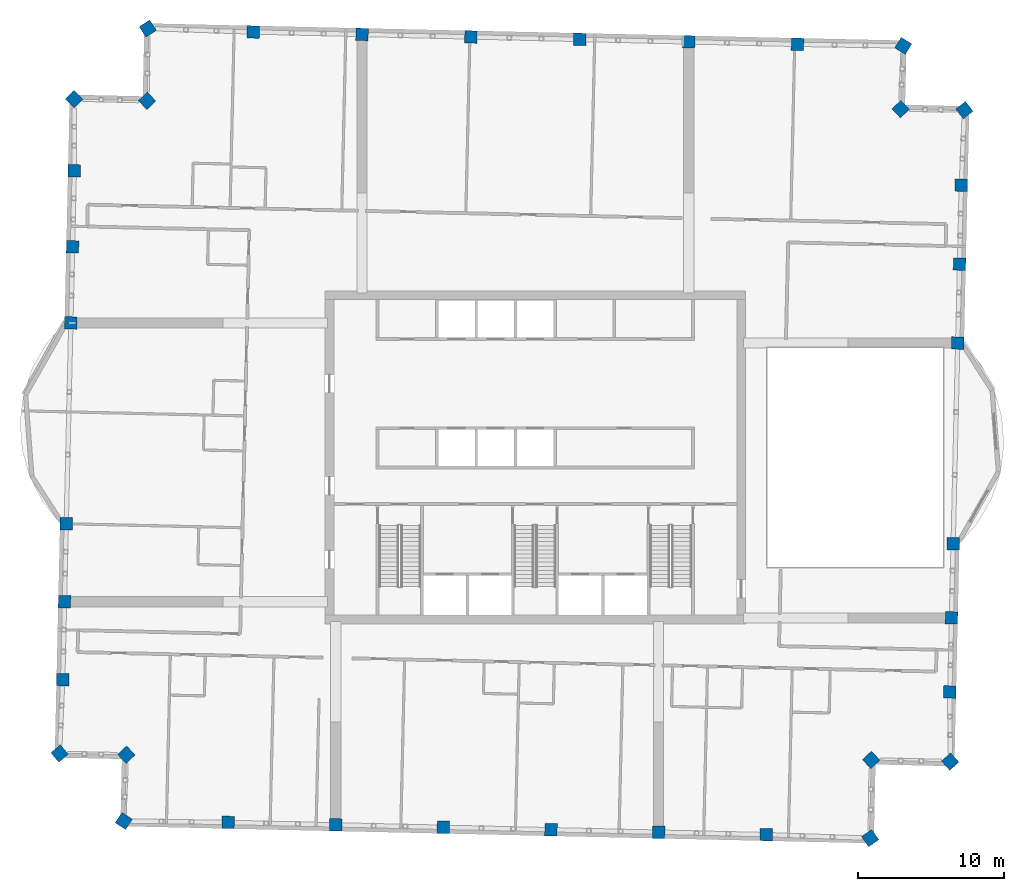
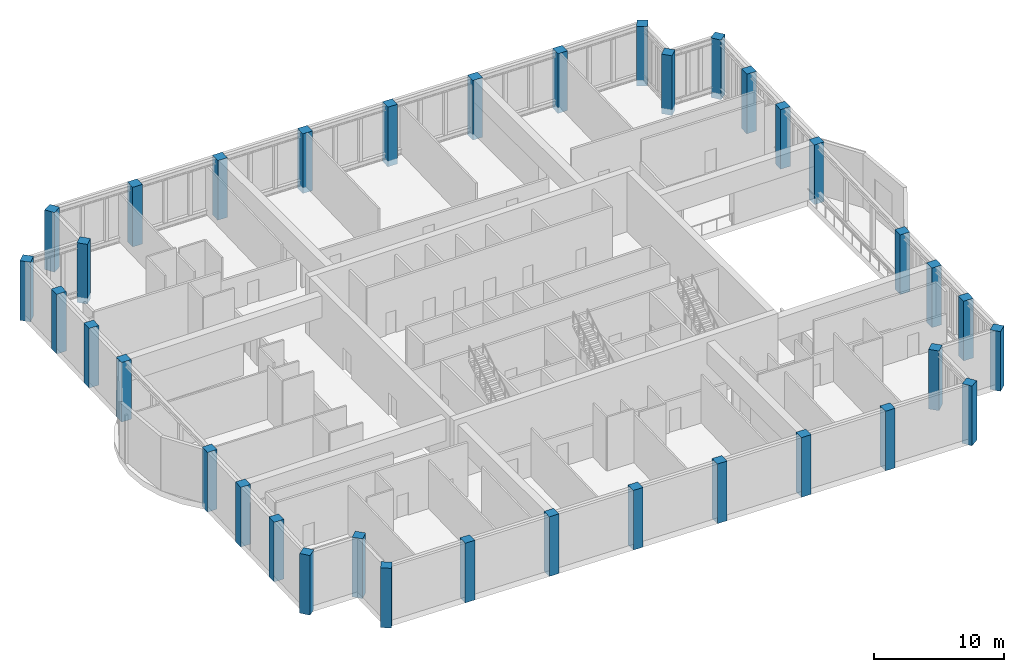
# One storey, part 1 of 16: 36 columns.
"""IFC4 building model written with IfcOpenShell, lengths in metres."""

from ifc_helpers import new_model, si_unit, direction, frame, origin, origin_2d, place, context, subcontext, project, spatial, rectangle, extrude, material, material_profile, profile_set, type_object, element, save


model = new_model("IFC4")

# Units and contexts
model_context = context("Model", 3, precision=1e-05, world=origin(), true_north=direction((0.0, 1.0)))
body_context = subcontext(model_context, "Body", "Model", "MODEL_VIEW")
ifc_project = project(units=[si_unit("LENGTHUNIT", "METRE"), si_unit("AREAUNIT", "SQUARE_METRE"), si_unit("VOLUMEUNIT", "CUBIC_METRE"), si_unit("PLANEANGLEUNIT", "RADIAN"), si_unit("MASSUNIT", "GRAM", prefix="KILO")], contexts=[model_context])

# Site, building, storey
site_placement = place(None, origin())
site = spatial("IfcSite", under=ifc_project, at=site_placement, CompositionType="ELEMENT")
building_placement = place(site_placement, origin())
building = spatial("IfcBuilding", under=site, at=building_placement, Name="Mangrove Gate Tower", CompositionType="ELEMENT")
storey_placement = place(building_placement, frame((0.0, 0.0, 324.10009765625)))
storey = spatial("IfcBuildingStorey", under=building, at=storey_placement, Name="L83", CompositionType="ELEMENT", Elevation=324.10009765625)

# Columns
ifc_material = material(Name="Concrete C50/60", Category="concrete")
ifc_material_profile = material_profile(ifc_material, rectangle(XDim=0.85009765625, YDim=0.85009765625, at=origin_2d()))
ifc_profile_set = profile_set([ifc_material_profile], Name="Concrete C50/60")
column_type = type_object("IfcColumnType", Name="Column RC 850x850 C50/60", PredefinedType="COLUMN", material=ifc_profile_set)
for number, where, z_axis, x_axis, name in (
    (1, (-32.123046875, -4.53466796875, -0.550048828125), (0.0, 0.0, 1.0), (-0.022679760793, -0.999742781144, 0.0), "Column L83 W06"),
    (2, (-32.244140625, -9.87451171875, -0.550048828125), (0.0, 0.0, 1.0), (-0.022653360746, -0.999743379696, 0.0), "Column L83 W07"),
    (3, (-32.364990234375, -15.214599609375, -0.550048828125), (0.0, 0.0, 1.0), (-0.022746921185, -0.999741255314, 0.0), "Column L83 W08"),
    (4, (-32.583740234375, -20.275146484375, -0.550048828125), (0.0, 0.0, 1.0), (0.63510539695, -0.772425488164, 0.0), "Column L83 W09"),
    (5, (-28.005615234375, -20.3564453125, -0.550048828125), (0.0, 0.0, 1.0), (0.690863130287, -0.722985570541, 0.0), "Column L83 W10"),
    (6, (-28.183837890625, -24.8935546875, -0.550048828125), (0.0, 0.0, 1.0), (0.836135337265, -0.548523197118, 0.0), "Column L83 S01"),
    (7, (-21.038330078125, -24.9912109375, -0.550048828125), (0.0, 0.0, 1.0), (0.999743338971, -0.022655157973, 0.0), "Column L83 S02"),
    (8, (-13.66845703125, -25.158203125, -0.550048828125), (0.0, 0.0, 1.0), (0.999743338971, -0.022655157973, 0.0), "Column L83 S03"),
    (9, (-6.29931640625, -25.3251953125, -0.550048828125), (0.0, 0.0, 1.0), (0.999743338971, -0.022655157973, 0.0), "Column L83 S04"),
    (10, (1.070556640625, -25.4921875, -0.550048828125), (0.0, 0.0, 1.0), (0.999741800516, -0.02272294656, 0.0), "Column L83 S05"),
    (11, (8.439697265625, -25.66015625, -0.550048828125), (0.0, 0.0, 1.0), (0.999741800516, -0.02272294656, 0.0), "Column L83 S06"),
    (12, (15.8095703125, -25.8271484375, -0.550048828125), (0.0, 0.0, 1.0), (0.999743373766, -0.022653622478, 0.0), "Column L83 S07"),
    (13, (22.9267578125, -26.070556640625, -0.550048828125), (0.0, 0.0, 1.0), (0.81992028728, 0.572477704812, 0.0), "Column L83 S08"),
    (14, (22.998291015625, -20.713623046875, -0.550048828125), (0.0, 0.0, 1.0), (0.722965976266, 0.690883635037, 0.0), "Column L83 E01"),
    (15, (28.406982421875, -20.826904296875, -0.550048828125), (0.0, 0.0, 1.0), (0.744004906603, 0.66817415316, 0.0), "Column L83 E02"),
    (16, (28.381103515625, -16.059326171875, -0.550048828125), (0.0, 0.0, 1.0), (0.022660985877, 0.999743206888, 0.0), "Column L83 E03"),
    (17, (28.49609375, -10.986328125, -0.550048828125), (0.0, 0.0, 1.0), (0.022660985877, 0.999743206888, 0.0), "Column L83 E04"),
    (18, (28.611083984375, -5.912353515625, -0.550048828125), (0.0, 0.0, 1.0), (0.022681592917, 0.99974273958, 0.0), "Column L83 E05"),
    (19, (28.923095703125, 7.834716796875, -0.550048828125), (0.0, 0.0, 1.0), (0.022704799818, 0.999742212805, 0.0), "Column L83 E06"),
    (20, (29.046142578125, 13.24169921875, -0.550048828125), (0.0, 0.0, 1.0), (0.022652104431, 0.999743408163, 0.0), "Column L83 E07"),
    (21, (29.168212890625, 18.647705078125, -0.550048828125), (0.0, 0.0, 1.0), (0.022652104431, 0.999743408163, 0.0), "Column L83 E08"),
    (22, (29.38037109375, 23.784423828125, -0.550048828125), (0.0, 0.0, 1.0), (-0.613294984085, 0.789853950104, 0.0), "Column L83 E09"),
    (23, (25.009765625, 23.851318359375, -0.550048828125), (0.0, 0.0, 1.0), (-0.690854032309, 0.722994264183, 0.0), "Column L83 E10"),
    (24, (25.19287109375, 28.182861328125, -0.550048828125), (0.0, 0.0, 1.0), (-0.849493800932, 0.527598599484, 0.0), "Column L83 N01"),
    (25, (17.952392578125, 28.2880859375, -0.550048828125), (0.0, 0.0, 1.0), (-0.999743149141, 0.022663533403, 0.0), "Column L83 N02"),
    (26, (10.497314453125, 28.45703125, -0.550048828125), (0.0, 0.0, 1.0), (-0.999741662484, 0.022729018737, 0.0), "Column L83 N03"),
    (27, (3.041259765625, 28.627197265625, -0.550048828125), (0.0, 0.0, 1.0), (-0.999741662484, 0.022729018737, 0.0), "Column L83 N04"),
    (28, (-4.41357421875, 28.796142578125, -0.550048828125), (0.0, 0.0, 1.0), (-0.999743149141, 0.022663533403, 0.0), "Column L83 N05"),
    (29, (-11.86865234375, 28.965087890625, -0.550048828125), (0.0, 0.0, 1.0), (-0.999743149141, 0.022663533403, 0.0), "Column L83 N06"),
    (30, (-19.32373046875, 29.134033203125, -0.550048828125), (0.0, 0.0, 1.0), (-0.999743149141, 0.022663533403, 0.0), "Column L83 N07"),
    (31, (-26.54052734375, 29.36962890625, -0.550048828125), (0.0, 0.0, 1.0), (-0.843037190886, -0.537855273082, 0.0), "Column L83 N08"),
    (32, (-26.58935546875, 24.422607421875, -0.550048828125), (0.0, 0.0, 1.0), (-0.723044060513, -0.690801915571, 0.0), "Column L83 W01"),
    (33, (-31.582275390625, 24.541748046875, -0.550048828125), (0.0, 0.0, 1.0), (-0.708697722555, -0.70551225223, 0.0), "Column L83 W02"),
    (34, (-31.5751953125, 19.62646484375, -0.550048828125), (0.0, 0.0, 1.0), (-0.022655978068, -0.999743320387, 0.0), "Column L83 W03"),
    (35, (-31.693115234375, 14.41943359375, -0.550048828125), (0.0, 0.0, 1.0), (-0.022655978068, -0.999743320387, 0.0), "Column L83 W04"),
    (36, (-31.81103515625, 9.21240234375, -0.550048828125), (0.0, 0.0, 1.0), (-0.022680668131, -0.999742760561, 0.0), "Column L83 W05"),
):
    element("IfcColumn", number, at=place(storey_placement, frame(where, z_axis=z_axis, x_axis=x_axis)), inside=storey, type_object=column_type, Name=name, PredefinedType="COLUMN", context=body_context, shape_type="SweptSolid", body=[
        extrude(rectangle(XDim=0.85009765625, YDim=0.85009765625, at=origin_2d()), origin(), (0.0, 0.0, 1.0), 5.599853515625),
    ])

save(model, "model.ifc")
